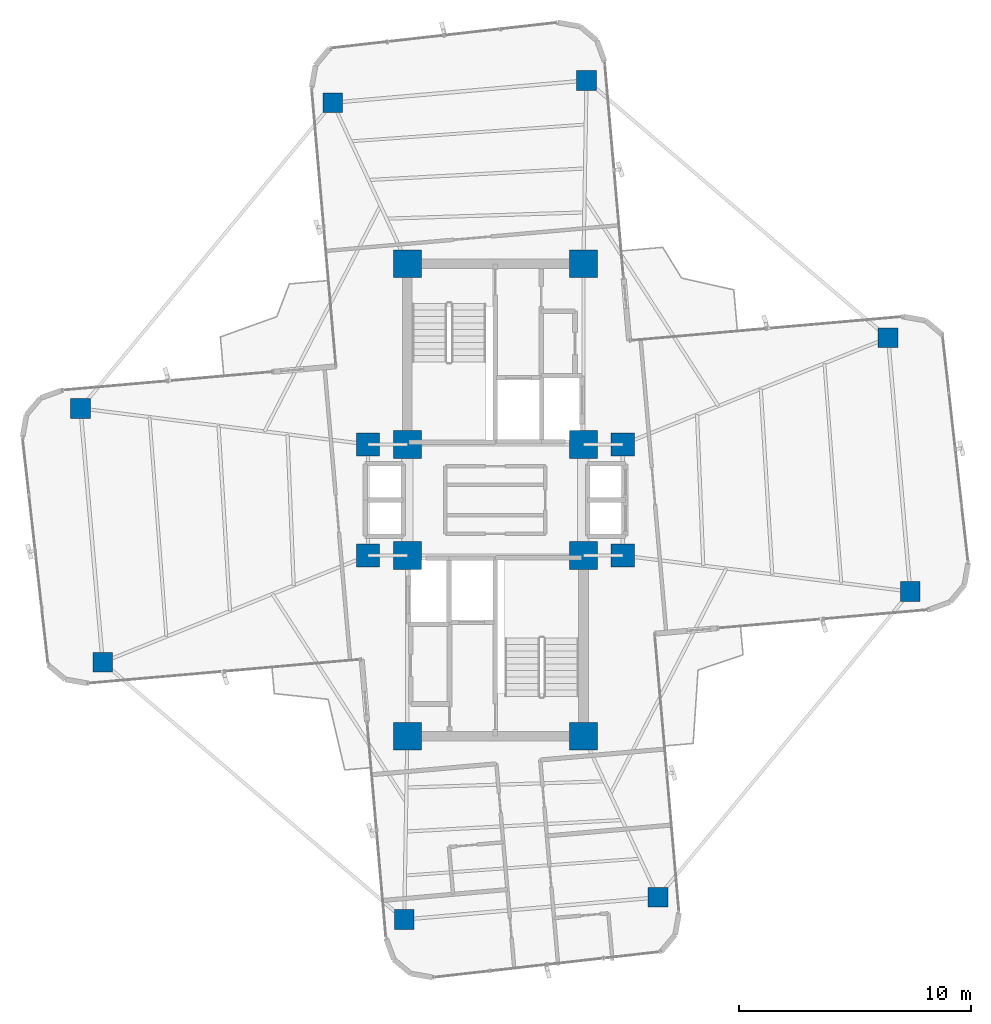
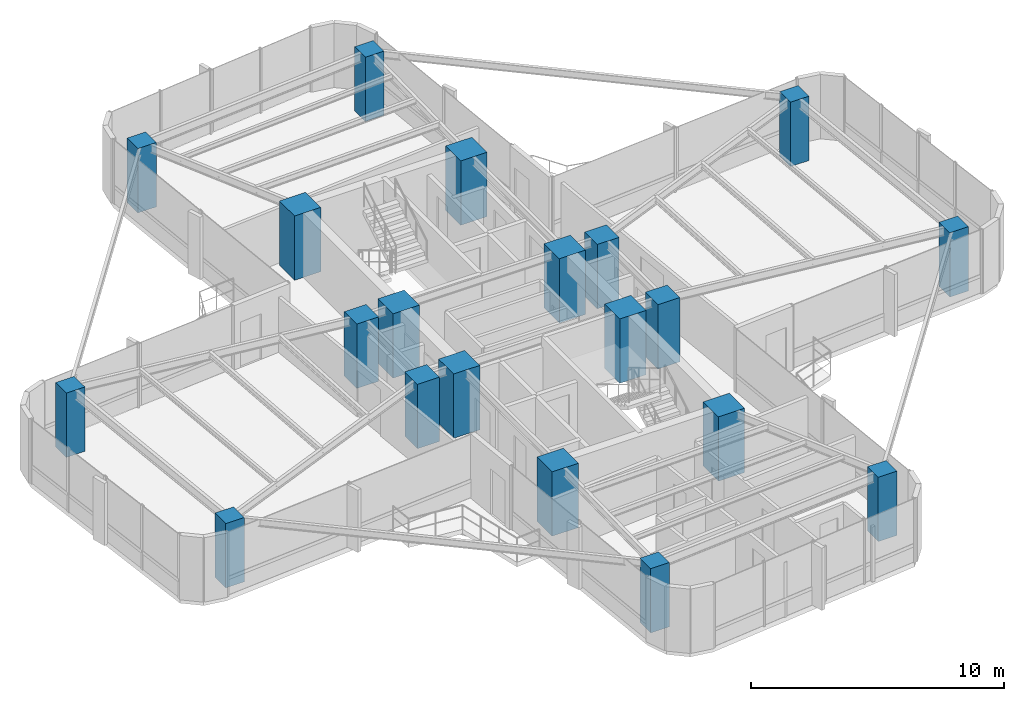
# One storey, part 1 of 24: 20 columns.
"""IFC4 building model written with IfcOpenShell, lengths in metres."""

from ifc_helpers import new_model, si_unit, direction, frame, origin, origin_2d, place, context, subcontext, project, spatial, rectangle, extrude, source, transform, mapped, material, material_profile, profile_set, type_object, element, save


model = new_model("IFC4")

# Units and contexts
model_context = context("Model", 3, precision=1e-05, world=origin(), true_north=direction((0.0, 1.0)))
body_context = subcontext(model_context, "Body", "Model", "MODEL_VIEW")
ifc_project = project(units=[si_unit("LENGTHUNIT", "METRE"), si_unit("AREAUNIT", "SQUARE_METRE"), si_unit("VOLUMEUNIT", "CUBIC_METRE"), si_unit("PLANEANGLEUNIT", "RADIAN"), si_unit("MASSUNIT", "GRAM", prefix="KILO")], contexts=[model_context])

# Site, building, storey
site_placement = place(None, origin())
site = spatial("IfcSite", under=ifc_project, at=site_placement, CompositionType="ELEMENT")
building_placement = place(site_placement, origin())
building = spatial("IfcBuilding", under=site, at=building_placement, Name="Sahyath Konkavel Grand Hotel", CompositionType="ELEMENT")
storey_placement = place(building_placement, frame((0.0, 0.0, 160.64990234375)))
storey = spatial("IfcBuildingStorey", under=building, at=storey_placement, Name="L44", CompositionType="ELEMENT", Elevation=160.64990234375)

# Columns
ifc_material_1 = material(Name="Concrete C50/60", Category="concrete")
ifc_material_profile_1 = material_profile(ifc_material_1, rectangle(XDim=1.199951171875, YDim=1.199951171875, at=origin_2d()), Name="RC 1200x1200")
ifc_profile_set_1 = profile_set([ifc_material_profile_1], Name="Concrete C50/60")
column_type_1 = type_object("IfcColumnType", Name="COL-RC1200", PredefinedType="COLUMN", material=ifc_profile_set_1)
shared_shape_1 = source(origin(), body_context, "Body", "SweptSolid", [
    extrude(rectangle(XDim=1.199951171875, YDim=1.199951171875, at=origin_2d()), origin(), (0.0, 0.0, 1.0), 3.110107421875),
])
for number, where, z_axis, x_axis, name in (
    (1, (-3.800048828125, 2.39990234375, 0.0), (0.0, 0.0, 1.0), (1.0, 0.0, 0.0), "L44 Core Boundary Column NC-SW"),
    (2, (3.800048828125, 2.39990234375, 0.0), (0.0, 0.0, 1.0), (1.0, 0.0, 0.0), "L44 Core Boundary Column NC-SE"),
    (3, (-3.800048828125, 10.199951171875, 0.0), (0.0, 0.0, 1.0), (1.0, 0.0, 0.0), "L44 Core Boundary Column NC-NW"),
    (4, (3.800048828125, 10.199951171875, 0.0), (0.0, 0.0, 1.0), (1.0, 0.0, 0.0), "L44 Core Boundary Column NC-NE"),
    (5, (-3.800048828125, -2.39990234375, 0.0), (0.0, 0.0, 1.0), (1.0, 0.0, 0.0), "L44 Core Boundary Column SC-NW"),
    (6, (3.800048828125, -2.39990234375, 0.0), (0.0, 0.0, 1.0), (1.0, 0.0, 0.0), "L44 Core Boundary Column SC-NE"),
    (7, (-3.800048828125, -10.199951171875, 0.0), (0.0, 0.0, 1.0), (1.0, 0.0, 0.0), "L44 Core Boundary Column SC-SW"),
    (8, (3.800048828125, -10.199951171875, 0.0), (0.0, 0.0, 1.0), (1.0, 0.0, 0.0), "L44 Core Boundary Column SC-SE"),
):
    element("IfcColumn", number, at=place(storey_placement, frame(where, z_axis=z_axis, x_axis=x_axis)), inside=storey, type_object=column_type_1, Name=name, PredefinedType="COLUMN", context=body_context, shape_type="MappedRepresentation", body=[
        mapped(shared_shape_1, transform((0.0, 0.0, 0.0), scale=1.0)),
    ])
ifc_material_profile_2 = material_profile(ifc_material_1, rectangle(XDim=1.0, YDim=1.0, at=origin_2d()), Name="RC 1000x1000")
ifc_profile_set_2 = profile_set([ifc_material_profile_2], Name="Concrete C50/60")
column_type_2 = type_object("IfcColumnType", Name="COL-RC1000", PredefinedType="COLUMN", material=ifc_profile_set_2)
shared_shape_2 = source(origin(), body_context, "Body", "SweptSolid", [
    extrude(rectangle(XDim=1.0, YDim=1.0, at=origin_2d()), origin(), (0.0, 0.0, 1.0), 3.110107421875),
])
for number, where, z_axis, x_axis, name in (
    (9, (5.5, 2.39990234375, 0.0), (0.0, 0.0, 1.0), (1.0, 0.0, 0.0), "L44 Central Spine Column HB-NE"),
    (10, (-5.5, 2.39990234375, 0.0), (0.0, 0.0, 1.0), (1.0, 0.0, 0.0), "L44 Central Spine Column HB-NW"),
    (11, (5.5, -2.39990234375, 0.0), (0.0, 0.0, 1.0), (1.0, 0.0, 0.0), "L44 Central Spine Column HB-SE"),
    (12, (-5.5, -2.39990234375, 0.0), (0.0, 0.0, 1.0), (1.0, 0.0, 0.0), "L44 Central Spine Column HB-SW"),
):
    element("IfcColumn", number, at=place(storey_placement, frame(where, z_axis=z_axis, x_axis=x_axis)), inside=storey, type_object=column_type_2, Name=name, PredefinedType="COLUMN", context=body_context, shape_type="MappedRepresentation", body=[
        mapped(shared_shape_2, transform((0.0, 0.0, 0.0), scale=1.0)),
    ])
ifc_material_2 = material(Name="Concrete C40/50", Category="concrete")
ifc_material_profile_3 = material_profile(ifc_material_2, rectangle(XDim=0.85009765625, YDim=0.85009765625, at=origin_2d()), Name="RC 850x850")
ifc_profile_set_3 = profile_set([ifc_material_profile_3], Name="Concrete C40/50")
column_type_3 = type_object("IfcColumnType", Name="COL-RC850", PredefinedType="COLUMN", material=ifc_profile_set_3)
shared_shape_3 = source(origin(), body_context, "Body", "SweptSolid", [
    extrude(rectangle(XDim=0.85009765625, YDim=0.85009765625, at=origin_2d()), origin(), (0.0, 0.0, 1.0), 3.110107421875),
])
for number, where, z_axis, x_axis, name in (
    (13, (17.912841796875, -3.953857421875, 0.0), (0.0, 0.0, 1.0), (1.0, 0.0, 0.0), "L44 Cruciform Wing Column WC-EA"),
    (14, (16.9541015625, 7.00439453125, 0.0), (0.0, 0.0, 1.0), (1.0, 0.0, 0.0), "L44 Cruciform Wing Column WC-EB"),
    (15, (3.936279296875, 18.112060546875, 0.0), (0.0, 0.0, 1.0), (1.0, 0.0, 0.0), "L44 Cruciform Wing Column WC-NA"),
    (16, (-7.021728515625, 17.1533203125, 0.0), (0.0, 0.0, 1.0), (1.0, 0.0, 0.0), "L44 Cruciform Wing Column WC-NB"),
    (17, (-17.912841796875, 3.953857421875, 0.0), (0.0, 0.0, 1.0), (1.0, 0.0, 0.0), "L44 Cruciform Wing Column WC-WA"),
    (18, (-16.9541015625, -7.00439453125, 0.0), (0.0, 0.0, 1.0), (1.0, 0.0, 0.0), "L44 Cruciform Wing Column WC-WB"),
    (19, (-3.936279296875, -18.112060546875, 0.0), (0.0, 0.0, 1.0), (1.0, 0.0, 0.0), "L44 Cruciform Wing Column WC-SA"),
    (20, (7.021728515625, -17.1533203125, 0.0), (0.0, 0.0, 1.0), (1.0, 0.0, 0.0), "L44 Cruciform Wing Column WC-SB"),
):
    element("IfcColumn", number, at=place(storey_placement, frame(where, z_axis=z_axis, x_axis=x_axis)), inside=storey, type_object=column_type_3, Name=name, PredefinedType="COLUMN", context=body_context, shape_type="MappedRepresentation", body=[
        mapped(shared_shape_3, transform((0.0, 0.0, 0.0), scale=1.0)),
    ])

save(model, "model.ifc")
